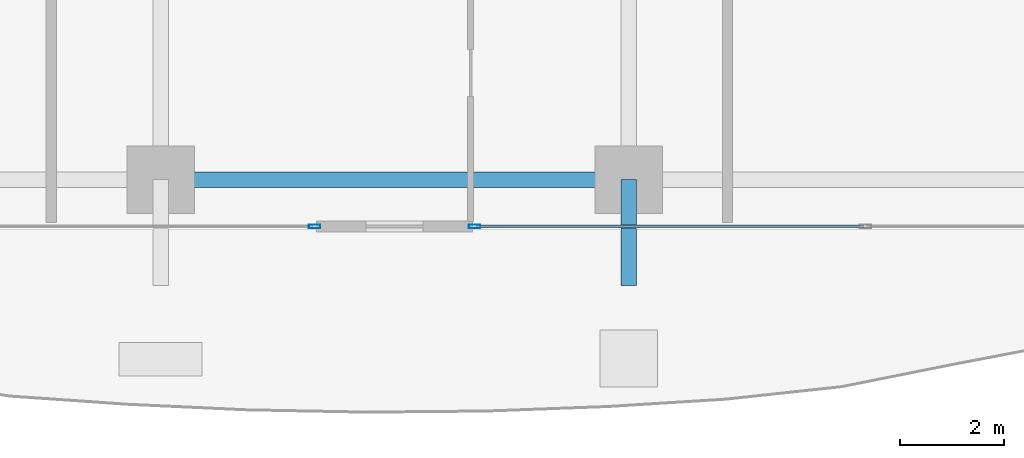
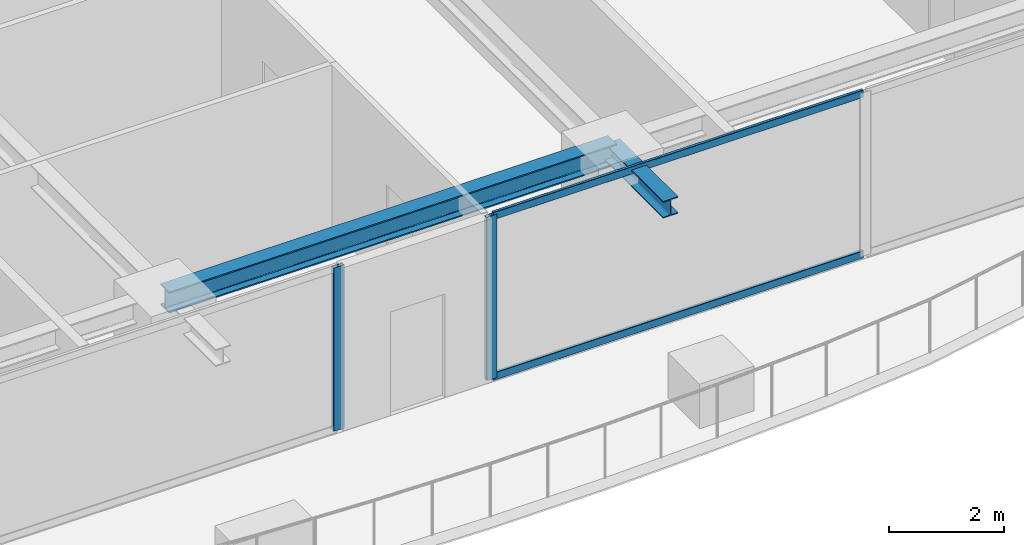
# One storey, part 5 of 35: 4 members, 2 beams, 2 elements without a shape of their own.
"""IFC4 building model written with IfcOpenShell, lengths in metres."""

import ifcopenshell
import ifcopenshell.guid

model = None  # the IFC model being written
_history = None  # IfcOwnerHistory: only IFC2X3 demands one
_inside = {}  # id of a spatial element -> (the spatial element, [elements in it])
_under = {}  # id of a project, library or spatial element -> (it, [spatial elements below it])
_declared = {}  # id of a project -> (the project, [libraries it declares])
_typed = {}  # id of a type object -> (the type object, [elements of that type])
_made_of = {}  # id of a material, layer set ... -> (it, [elements and type objects made of it])


def new_model(schema):
    """Start an empty IFC model of exactly this schema.

    Asked for "IFC4X3", IfcOpenShell would pick the latest addendum, in which some entities
    have other attributes; the version numbers below select the first issue.
    IFC2X3 requires an IfcOwnerHistory on every rooted entity: one is made here for all.
    """
    global model, _history
    if schema == "IFC4X3":
        model = ifcopenshell.file(schema_version=(4, 3, 0, 0))
    else:
        model = ifcopenshell.file(schema=schema)
    _inside.clear()
    _under.clear()
    _declared.clear()
    _typed.clear()
    _made_of.clear()
    _history = None
    if model.schema == "IFC2X3":
        org = make("IfcOrganization", Name="unknown")
        user = make(
            "IfcPersonAndOrganization",
            ThePerson=make("IfcPerson", FamilyName="unknown"),
            TheOrganization=org,
        )
        app = make(
            "IfcApplication",
            ApplicationDeveloper=org,
            Version="unknown",
            ApplicationFullName="unknown",
            ApplicationIdentifier="unknown",
        )
        _history = make(
            "IfcOwnerHistory",
            OwningUser=user,
            OwningApplication=app,
            ChangeAction="ADDED",
            CreationDate=0,
        )
    return model


def make(cls, **values):
    """One entity of the class cls with the attributes given. An attribute that is None is left unset."""
    return model.create_entity(
        cls, **{name: value for name, value in values.items() if value is not None}
    )


def rooted(cls, **values):
    """An entity with a GlobalId (a new one), such as an element, a storey or a relation."""
    return make(cls, GlobalId=ifcopenshell.guid.new(), OwnerHistory=_history, **values)


def si_unit(unit_type, name, prefix=None):
    """IfcSIUnit, for example si_unit("LENGTHUNIT", "METRE", prefix="MILLI")."""
    return make("IfcSIUnit", UnitType=unit_type, Prefix=prefix, Name=name)


def assignment(units):
    """IfcUnitAssignment: the units of a project."""
    return None if units is None else make("IfcUnitAssignment", Units=units)


def point(xyz):
    """IfcCartesianPoint."""
    return None if xyz is None else make("IfcCartesianPoint", Coordinates=xyz)


def direction(xyz):
    """IfcDirection."""
    return None if xyz is None else make("IfcDirection", DirectionRatios=xyz)


def frame(location, z_axis=None, x_axis=None):
    """IfcAxis2Placement3D, a coordinate frame: its origin and axes. An axis left out is left unset."""
    return make(
        "IfcAxis2Placement3D",
        Location=point(location),
        Axis=direction(z_axis),
        RefDirection=direction(x_axis),
    )


def frame_2d(location, x_axis=None):
    """IfcAxis2Placement2D, a coordinate frame in the plane: its origin and x axis."""
    return make(
        "IfcAxis2Placement2D", Location=point(location), RefDirection=direction(x_axis)
    )


def origin():
    """The frame at (0, 0, 0) with its axes left unset."""
    return frame((0.0, 0.0, 0.0))


def origin_2d():
    """The frame at (0, 0) in the plane with its x axis left unset."""
    return frame_2d((0.0, 0.0))


def place(relative_to, where):
    """IfcLocalPlacement: puts the frame where relative to a parent placement (None: the world)."""
    return make(
        "IfcLocalPlacement", PlacementRelTo=relative_to, RelativePlacement=where
    )


def context(
    kind, dimensions, precision=None, world=None, true_north=None, identifier=None
):
    """IfcGeometricRepresentationContext, for example the 3D "Model" context."""
    return make(
        "IfcGeometricRepresentationContext",
        ContextIdentifier=identifier,
        ContextType=kind,
        CoordinateSpaceDimension=dimensions,
        Precision=precision,
        WorldCoordinateSystem=world,
        TrueNorth=true_north,
    )


def subcontext(parent, identifier, kind, view, scale=None):
    """IfcGeometricRepresentationSubContext, for example "Body" below "Model"."""
    return make(
        "IfcGeometricRepresentationSubContext",
        ContextIdentifier=identifier,
        ContextType=kind,
        ParentContext=parent,
        TargetScale=scale,
        TargetView=view,
    )


def project(units=None, contexts=None):
    """IfcProject with its units and contexts."""
    return rooted(
        "IfcProject",
        Name="project",
        RepresentationContexts=contexts,
        UnitsInContext=assignment(units),
    )


def spatial(cls, under=None, at=None, **own):
    """A site, building, storey or space (cls), placed at a placement, below another one or the project."""
    s = rooted(cls, ObjectPlacement=at, **own)
    if under is not None:
        _under.setdefault(under.id(), (under, []))[1].append(s)
    return s


def profile(cls, at=None, kind="AREA", **sizes):
    """A parametric profile (cls). Its sizes go by their IFC names, for example OverallWidth=200.0."""
    return make(cls, ProfileType=kind, Position=at, **sizes)


def hollow_rectangle(**sizes):
    """IfcRectangleHollowProfileDef."""
    return profile("IfcRectangleHollowProfileDef", **sizes)


def i_section(**sizes):
    """IfcIShapeProfileDef."""
    return profile("IfcIShapeProfileDef", **sizes)


def extrude(swept, where, along, depth):
    """IfcExtrudedAreaSolid: the profile swept, set in the frame where, extruded along a direction by depth."""
    return make(
        "IfcExtrudedAreaSolid",
        SweptArea=swept,
        Position=where,
        ExtrudedDirection=direction(along),
        Depth=depth,
    )


def shape(context_of_items, identifier, shape_type, items):
    """IfcShapeRepresentation: the items that make up one representation, for example the "Body"."""
    return make(
        "IfcShapeRepresentation",
        ContextOfItems=context_of_items,
        RepresentationIdentifier=identifier,
        RepresentationType=shape_type,
        Items=items,
    )


def source(mapping_origin, context_of_items, identifier, shape_type, items):
    """IfcRepresentationMap: a shape defined once, which mapped items show again and again."""
    return make(
        "IfcRepresentationMap",
        MappingOrigin=mapping_origin,
        MappedRepresentation=shape(context_of_items, identifier, shape_type, items),
    )


def transform(
    local_origin,
    x_axis=None,
    y_axis=None,
    z_axis=None,
    scale=None,
    scale2=None,
    scale3=None,
    uniform=True,
):
    """IfcCartesianTransformationOperator3D, or its non-uniform kind. x_axis, y_axis, z_axis: its Axis1, 2, 3."""
    if uniform:
        return make(
            "IfcCartesianTransformationOperator3D",
            Axis1=direction(x_axis),
            Axis2=direction(y_axis),
            LocalOrigin=point(local_origin),
            Scale=scale,
            Axis3=direction(z_axis),
        )
    return make(
        "IfcCartesianTransformationOperator3DnonUniform",
        Axis1=direction(x_axis),
        Axis2=direction(y_axis),
        LocalOrigin=point(local_origin),
        Scale=scale,
        Axis3=direction(z_axis),
        Scale2=scale2,
        Scale3=scale3,
    )


def mapped(mapping_source, mapping_target):
    """IfcMappedItem: shows the shape of a source again, moved by a transform."""
    return make(
        "IfcMappedItem", MappingSource=mapping_source, MappingTarget=mapping_target
    )


def material(Name=None, Category=None):
    """IfcMaterial."""
    return make("IfcMaterial", Name=Name, Category=Category)


def layer(
    of_material, thickness, ventilated=None, Name=None, Category=None, Priority=None
):
    """IfcMaterialLayer: one layer of a wall or slab, of a material (None: an air gap)."""
    return make(
        "IfcMaterialLayer",
        Material=of_material,
        LayerThickness=thickness,
        IsVentilated=ventilated,
        Name=Name,
        Category=Category,
        Priority=Priority,
    )


def layer_set(layers, Name=None):
    """IfcMaterialLayerSet."""
    return make("IfcMaterialLayerSet", MaterialLayers=layers, LayerSetName=Name)


def material_profile(
    of_material, cross_section, Name=None, Category=None, Priority=None
):
    """IfcMaterialProfile: a cross section and its material."""
    return make(
        "IfcMaterialProfile",
        Name=Name,
        Material=of_material,
        Profile=cross_section,
        Priority=Priority,
        Category=Category,
    )


def profile_set(profiles, Name=None, composite=None):
    """IfcMaterialProfileSet."""
    return make(
        "IfcMaterialProfileSet",
        Name=Name,
        MaterialProfiles=profiles,
        CompositeProfile=composite,
    )


def made_of(thing, what):
    """Note that an element or type object is made of a material, layer set ...; save() writes the relation."""
    if what is not None:
        _made_of.setdefault(what.id(), (what, []))[1].append(thing)
    return thing


def type_object(cls, material=None, **own):
    """A type object (cls), such as IfcWallType, which elements share."""
    return made_of(rooted(cls, **own), material)


def element(
    cls,
    number,
    at=None,
    inside=None,
    cuts=None,
    type_object=None,
    material=None,
    context=None,
    identifier="Body",
    shape_type=None,
    held_by="IfcProductDefinitionShape",
    body=None,
    shapes=None,
    **own,
):
    """One element of the class cls, such as IfcWall. Its Tag is "e" and its number.

    at: its placement. inside: the storey or other place that contains it. cuts: it is an
    opening in that element (IfcRelVoidsElement). A single representation is given by context,
    identifier, shape_type and body (its items); several are given by shapes. held_by: the class
    of the entity that holds the representations. save() writes the other relations.
    """
    e = rooted(cls, Tag="e%d" % number, ObjectPlacement=at, **own)
    if body is not None:
        shapes = [shape(context, identifier, shape_type, body)]
    if shapes is not None:
        e.Representation = make(held_by, Representations=shapes)
    if inside is not None:
        _inside.setdefault(inside.id(), (inside, []))[1].append(e)
    if cuts is not None:
        rooted(
            "IfcRelVoidsElement", RelatingBuildingElement=cuts, RelatedOpeningElement=e
        )
    if type_object is not None:
        _typed.setdefault(type_object.id(), (type_object, []))[1].append(e)
    return made_of(e, material)


def aggregate(whole, parts):
    """IfcRelAggregates: a whole, such as a stair, and the parts it consists of."""
    return rooted("IfcRelAggregates", RelatingObject=whole, RelatedObjects=parts)


def save(model, path):
    """Write the relations noted so far, then the file.

    IfcRelAggregates (storeys below a building ...), IfcRelContainedInSpatialStructure (elements
    in a storey), IfcRelDefinesByType, IfcRelAssociatesMaterial and IfcRelDeclares: one each for
    every whole, place, type object, material and project.
    """
    for whole, parts in _under.values():
        aggregate(whole, parts)
    for where, things in _inside.values():
        rooted(
            "IfcRelContainedInSpatialStructure",
            RelatedElements=things,
            RelatingStructure=where,
        )
    for kind, things in _typed.values():
        rooted("IfcRelDefinesByType", RelatedObjects=things, RelatingType=kind)
    for what, things in _made_of.values():
        rooted("IfcRelAssociatesMaterial", RelatedObjects=things, RelatingMaterial=what)
    for by, libraries in _declared.values():
        rooted("IfcRelDeclares", RelatingContext=by, RelatedDefinitions=libraries)
    model.write(path)


model = new_model("IFC4")

# Units and contexts
model_context = context("Model", 3, precision=1e-05, world=origin(), true_north=direction((0.0, 1.0)))
body_context = subcontext(model_context, "Body", "Model", "MODEL_VIEW")
ifc_project = project(units=[si_unit("LENGTHUNIT", "METRE"), si_unit("AREAUNIT", "SQUARE_METRE"), si_unit("VOLUMEUNIT", "CUBIC_METRE"), si_unit("PLANEANGLEUNIT", "RADIAN"), si_unit("MASSUNIT", "GRAM", prefix="KILO")], contexts=[model_context])

# Site, building, storey
site_placement = place(None, origin())
site = spatial("IfcSite", under=ifc_project, at=site_placement, CompositionType="ELEMENT")
building_placement = place(site_placement, origin())
building = spatial("IfcBuilding", under=site, at=building_placement, Name="Serunith Strait Residences", CompositionType="ELEMENT")
storey_placement = place(building_placement, frame((0.0, 0.0, 191.39990234375)))
storey = spatial("IfcBuildingStorey", under=building, at=storey_placement, Name="L48", CompositionType="ELEMENT", Elevation=191.39990234375)

# Beams
ifc_material_1 = material(Name="Steel S355J2", Category="steel")
ifc_material_profile_1 = material_profile(ifc_material_1, i_section(OverallWidth=0.300048828125, OverallDepth=0.449951171875, WebThickness=0.013916015625, FlangeThickness=0.02587890625, FilletRadius=0.027099609375, at=origin_2d()), Name="HEB 450")
ifc_profile_set_1 = profile_set([ifc_material_profile_1], Name="Steel S355J2")
beam_type_1 = type_object("IfcBeamType", Name="BM-HEB450", PredefinedType="BEAM", material=ifc_profile_set_1)
shared_shape_1 = source(origin(), body_context, "Body", "SweptSolid", [
    extrude(i_section(OverallWidth=0.300048828125, OverallDepth=0.449951171875, WebThickness=0.013916015625, FlangeThickness=0.02587890625, FilletRadius=0.027099609375, at=origin_2d()), origin(), (0.0, 0.0, 1.0), 9.0),
])
beam_1_placement = place(storey_placement, frame((27.89990234375, 2.300048828125, 3.26220703125), z_axis=(1.0, 0.0, 0.0), x_axis=(0.0, 1.0, 0.0)))
element("IfcBeam", 1, at=beam_1_placement, inside=storey, type_object=beam_type_1, Name="L48 Perimeter Ring Beam 02", PredefinedType="BEAM", context=body_context, shape_type="MappedRepresentation", body=[
    mapped(shared_shape_1, transform((0.0, 0.0, 0.0), scale=1.0)),
])
ifc_material_profile_2 = material_profile(ifc_material_1, i_section(OverallWidth=0.300048828125, OverallDepth=0.360107421875, WebThickness=0.012451171875, FlangeThickness=0.0224609375, FilletRadius=0.027099609375, at=origin_2d()), Name="HEB 360")
ifc_profile_set_2 = profile_set([ifc_material_profile_2], Name="Steel S355J2")
beam_type_2 = type_object("IfcBeamType", Name="BM-HEB360", PredefinedType="BEAM", material=ifc_profile_set_2)
shared_shape_2 = source(origin(), body_context, "Body", "SweptSolid", [
    extrude(i_section(OverallWidth=0.300048828125, OverallDepth=0.360107421875, WebThickness=0.012451171875, FlangeThickness=0.0224609375, FilletRadius=0.027099609375, at=origin_2d()), origin(), (0.0, 0.0, 1.0), 2.030029296875),
])
beam_2_placement = place(storey_placement, frame((36.89990234375, 2.300048828125, 3.277099609375), z_axis=(0.0, -1.0, 0.0), x_axis=(1.0, 0.0, 0.0)))
element("IfcBeam", 2, at=beam_2_placement, inside=storey, type_object=beam_type_2, Name="L49 Cantilevered Balcony Rib TC-S3", PredefinedType="BEAM", context=body_context, shape_type="MappedRepresentation", body=[
    mapped(shared_shape_2, transform((0.0, 0.0, 0.0), scale=1.0)),
])

# Curtain wall, member
ifc_material_2 = material(Name="Pale-Silver PVDF Aluminium", Category="aluminium")
ifc_layer = layer(ifc_material_2, 0.199951171875, Name="Pale-Silver PVDF Aluminium")
ifc_layer_set = layer_set([ifc_layer], Name="Pale-Silver PVDF Aluminium")
curtain_wall_type = type_object("IfcCurtainWallType", Name="CW-SYS3", PredefinedType="NOTDEFINED", material=ifc_layer_set)
curtain_wall_1_placement = place(storey_placement, origin())
curtain_wall_1 = element("IfcCurtainWall", 3, at=curtain_wall_1_placement, inside=storey, type_object=curtain_wall_type, Name="L48 S Unitised Fritted Curtain Wall", PredefinedType="NOTDEFINED")
ifc_material_profile_3 = material_profile(ifc_material_2, hollow_rectangle(XDim=0.074951171875, YDim=0.219970703125, WallThickness=0.00390625, InnerFilletRadius=0.006103515625, OuterFilletRadius=0.010009765625, at=origin_2d()), Name="ALU 220x75x4")
ifc_profile_set_3 = profile_set([ifc_material_profile_3], Name="Pale-Silver PVDF Aluminium")
member_type_1 = type_object("IfcMemberType", Name="CW-SYS3-MULL", PredefinedType="MULLION", material=ifc_profile_set_3)
shared_shape_3 = source(origin(), body_context, "Body", "SweptSolid", [
    extrude(hollow_rectangle(XDim=0.074951171875, YDim=0.219970703125, WallThickness=0.00390625, InnerFilletRadius=0.006103515625, OuterFilletRadius=0.010009765625, at=origin_2d()), origin(), (0.0, 0.0, 1.0), 3.47509765625),
])
member_1_placement = place(storey_placement, frame((30.862548828125, 1.39990234375, 0.0), z_axis=(0.0, 0.0, 1.0), x_axis=(0.0, 1.0, 0.0)))
member_1 = element("IfcMember", 4, at=member_1_placement, type_object=member_type_1, Name="CW-3 mullion 3", PredefinedType="MULLION", context=body_context, shape_type="MappedRepresentation", body=[
    mapped(shared_shape_3, transform((0.0, 0.0, 0.0), scale=1.0)),
])
aggregate(curtain_wall_1, [member_1])

# Curtain wall, members
curtain_wall_2_placement = place(storey_placement, origin())
curtain_wall_2 = element("IfcCurtainWall", 5, at=curtain_wall_2_placement, inside=storey, type_object=curtain_wall_type, Name="L48 S Unitised Fritted Curtain Wall", PredefinedType="NOTDEFINED")
member_2_placement = place(storey_placement, frame((33.9375, 1.39990234375, 0.0), z_axis=(0.0, 0.0, 1.0), x_axis=(0.0, 1.0, 0.0)))
member_2 = element("IfcMember", 6, at=member_2_placement, type_object=member_type_1, Name="CW-3 mullion 1", PredefinedType="MULLION", context=body_context, shape_type="MappedRepresentation", body=[
    mapped(shared_shape_3, transform((0.0, 0.0, 0.0), scale=1.0)),
])
ifc_material_profile_4 = material_profile(ifc_material_2, hollow_rectangle(XDim=0.06005859375, YDim=0.159912109375, WallThickness=0.00341796875, InnerFilletRadius=0.00537109375, OuterFilletRadius=0.0087890625, at=origin_2d()), Name="ALU 160x60x3.5")
ifc_profile_set_4 = profile_set([ifc_material_profile_4], Name="Pale-Silver PVDF Aluminium")
member_type_2 = type_object("IfcMemberType", Name="CW-SYS3-TRAN", PredefinedType="USERDEFINED", material=ifc_profile_set_4)
shared_shape_4 = source(origin(), body_context, "Body", "SweptSolid", [
    extrude(hollow_rectangle(XDim=0.06005859375, YDim=0.159912109375, WallThickness=0.00341796875, InnerFilletRadius=0.00537109375, OuterFilletRadius=0.0087890625, at=origin_2d()), origin(), (0.0, 0.0, 1.0), 7.4375),
])
member_3_placement = place(storey_placement, frame((33.97509765625, 1.39990234375, 0.030029296875), z_axis=(1.0, 0.0, 0.0), x_axis=(0.0, 1.0, 0.0)))
member_3 = element("IfcMember", 7, at=member_3_placement, type_object=member_type_2, Name="CW-3 transom 1.1", ObjectType="TRANSOM", PredefinedType="USERDEFINED", context=body_context, shape_type="MappedRepresentation", body=[
    mapped(shared_shape_4, transform((0.0, 0.0, 0.0), scale=1.0)),
])
member_4_placement = place(storey_placement, frame((33.97509765625, 1.39990234375, 3.445068359375), z_axis=(1.0, 0.0, 0.0), x_axis=(0.0, 1.0, 0.0)))
member_4 = element("IfcMember", 8, at=member_4_placement, type_object=member_type_2, Name="CW-3 transom 1.2", ObjectType="TRANSOM", PredefinedType="USERDEFINED", context=body_context, shape_type="MappedRepresentation", body=[
    mapped(shared_shape_4, transform((0.0, 0.0, 0.0), scale=1.0)),
])
aggregate(curtain_wall_2, [member_2, member_3, member_4])

save(model, "model.ifc")
